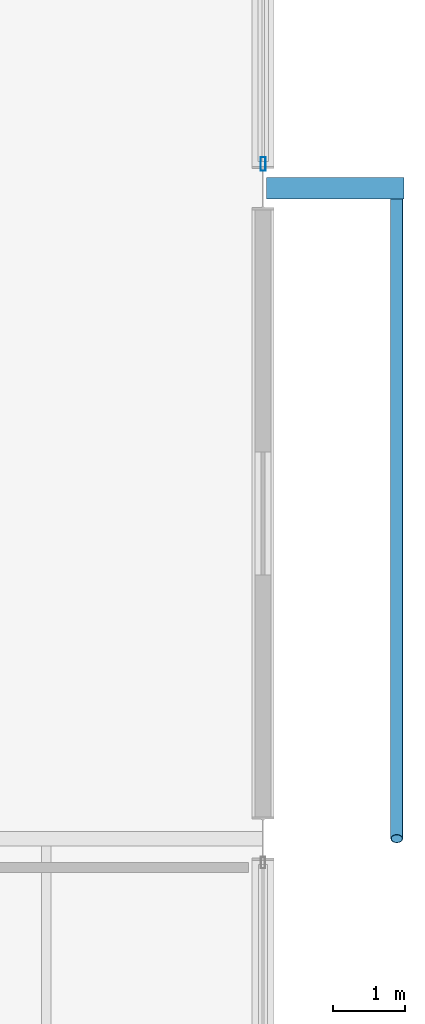
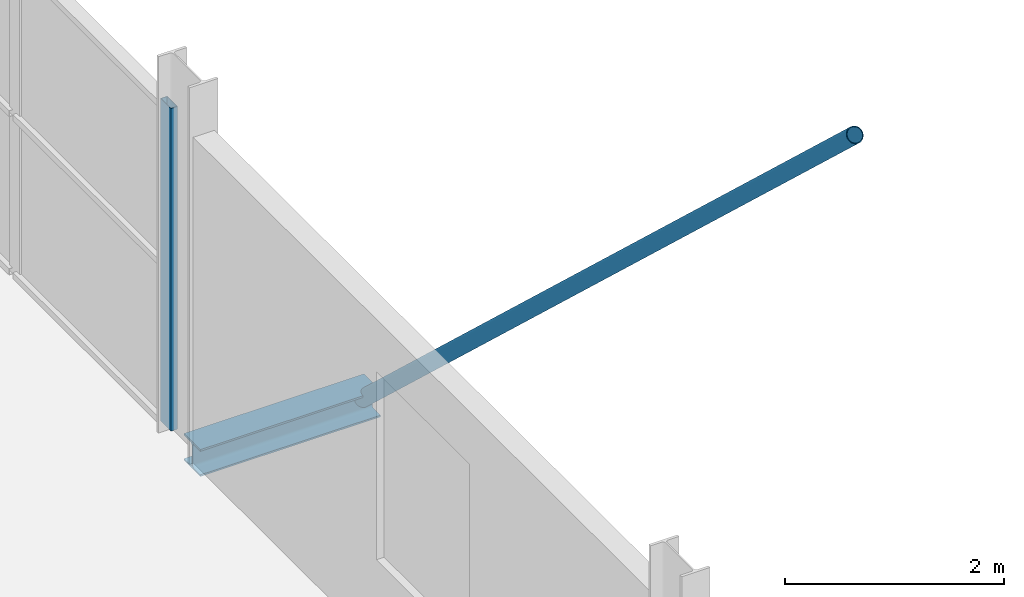
# One storey, part 41 of 59: 2 members, 1 beam, 1 element without a shape of its own.
"""IFC4 building model written with IfcOpenShell, lengths in metres."""

from ifc_helpers import new_model, si_unit, direction, frame, origin, origin_2d, place, context, subcontext, project, spatial, hollow_rectangle, hollow_circle, i_section, extrude, material, layer, layer_set, material_profile, profile_set, type_object, element, aggregate, save


model = new_model("IFC4")

# Units and contexts
model_context = context("Model", 3, precision=1e-05, world=origin(), true_north=direction((0.0, 1.0)))
body_context = subcontext(model_context, "Body", "Model", "MODEL_VIEW")
ifc_project = project(units=[si_unit("LENGTHUNIT", "METRE"), si_unit("AREAUNIT", "SQUARE_METRE"), si_unit("VOLUMEUNIT", "CUBIC_METRE"), si_unit("PLANEANGLEUNIT", "RADIAN"), si_unit("MASSUNIT", "GRAM", prefix="KILO")], contexts=[model_context])

# Site, building, storey
site_placement = place(None, origin())
site = spatial("IfcSite", under=ifc_project, at=site_placement, CompositionType="ELEMENT")
building_placement = place(site_placement, origin())
building = spatial("IfcBuilding", under=site, at=building_placement, Name="Deido Ridge Mobility Hub", CompositionType="ELEMENT")
storey_placement = place(building_placement, frame((0.0, 0.0, 21.0)))
storey = spatial("IfcBuildingStorey", under=building, at=storey_placement, Name="L05", CompositionType="ELEMENT", Elevation=21.0)

# Curtain wall, member
ifc_material_1 = material(Name="Anodised aluminium EN AW-6063 T6", Category="aluminium")
ifc_layer = layer(ifc_material_1, 0.22509765625, Name="Anodised aluminium EN AW-6063 T6")
ifc_layer_set = layer_set([ifc_layer], Name="Anodised aluminium EN AW-6063 T6")
curtain_wall_type = type_object("IfcCurtainWallType", Name="CW-UF-5", PredefinedType="USERDEFINED", material=ifc_layer_set)
curtain_wall_placement = place(storey_placement, origin())
curtain_wall = element("IfcCurtainWall", 1, at=curtain_wall_placement, inside=storey, type_object=curtain_wall_type, Name="Unitised curtain wall CW5", ObjectType="UNITISED FACADE", PredefinedType="USERDEFINED")
ifc_material_profile_1 = material_profile(ifc_material_1, hollow_rectangle(XDim=0.070068359375, YDim=0.18994140625, WallThickness=0.00390625, at=origin_2d()), Name="RHS 70x190x4")
ifc_profile_set_1 = profile_set([ifc_material_profile_1], Name="Anodised aluminium EN AW-6063 T6")
member_type_1 = type_object("IfcMemberType", Name="MEM-MUL-70X190", PredefinedType="MULLION", material=ifc_profile_set_1)
member_1_placement = place(storey_placement, frame((180.0, 45.3349609375, 0.0), z_axis=(0.0, 0.0, 1.0), x_axis=(-1.0, 0.0, 0.0)))
member_1 = element("IfcMember", 2, at=member_1_placement, type_object=member_type_1, Name="CW5 mullion 1", PredefinedType="MULLION", context=body_context, shape_type="SweptSolid", body=[
    extrude(hollow_rectangle(XDim=0.070068359375, YDim=0.18994140625, WallThickness=0.00390625, at=origin_2d()), origin(), (0.0, 0.0, 1.0), 3.60009765625),
])
aggregate(curtain_wall, [member_1])

# Member
ifc_material_2 = material(Name="Steel S355J2H EN 10210-1", Category="steel")
ifc_material_profile_2 = material_profile(ifc_material_2, hollow_circle(Radius=0.084228515625, WallThickness=0.008056640625, at=origin_2d()), Name="CHS 168.3x8")
ifc_profile_set_2 = profile_set([ifc_material_profile_2], Name="Steel S355J2H EN 10210-1")
member_type_2 = type_object("IfcMemberType", Name="MEM-STR-CHS168", PredefinedType="STRUT", material=ifc_profile_set_2)
member_2_placement = place(storey_placement, frame((181.85009765625, 45.0, -0.14990234375), z_axis=(0.0, -0.73105922506, 0.682314010889), x_axis=(1.0, 0.0, 0.0)))
element("IfcMember", 3, at=member_2_placement, inside=storey, type_object=member_type_2, Name="Deconstructivist facade diagrid strut SR1", PredefinedType="STRUT", context=body_context, shape_type="SweptSolid", body=[
    extrude(hollow_circle(Radius=0.084228515625, WallThickness=0.008056640625, at=origin_2d()), origin(), (0.0, 0.0, 1.0), 12.310791015625),
])

# Beam
ifc_material_3 = material(Name="Steel S355J2 EN 10025-2", Category="steel")
ifc_material_profile_3 = material_profile(ifc_material_3, i_section(OverallWidth=0.300048828125, OverallDepth=0.300048828125, WebThickness=0.010986328125, FlangeThickness=0.01904296875, FilletRadius=0.027099609375, at=origin_2d()), Name="HEB 300")
ifc_profile_set_3 = profile_set([ifc_material_profile_3], Name="Steel S355J2 EN 10025-2")
beam_type = type_object("IfcBeamType", Name="SPD-HEB300", PredefinedType="SPANDREL", material=ifc_profile_set_3)
beam_placement = place(storey_placement, frame((180.050048828125, 45.0, -0.14990234375), z_axis=(1.0, 0.0, 0.0), x_axis=(0.0, 1.0, 0.0)))
element("IfcBeam", 4, at=beam_placement, inside=storey, type_object=beam_type, Name="Exoskeleton outrigger beam SP1", PredefinedType="SPANDREL", context=body_context, shape_type="SweptSolid", body=[
    extrude(i_section(OverallWidth=0.300048828125, OverallDepth=0.300048828125, WebThickness=0.010986328125, FlangeThickness=0.01904296875, FilletRadius=0.027099609375, at=origin_2d()), origin(), (0.0, 0.0, 1.0), 1.89990234375),
])

save(model, "model.ifc")
